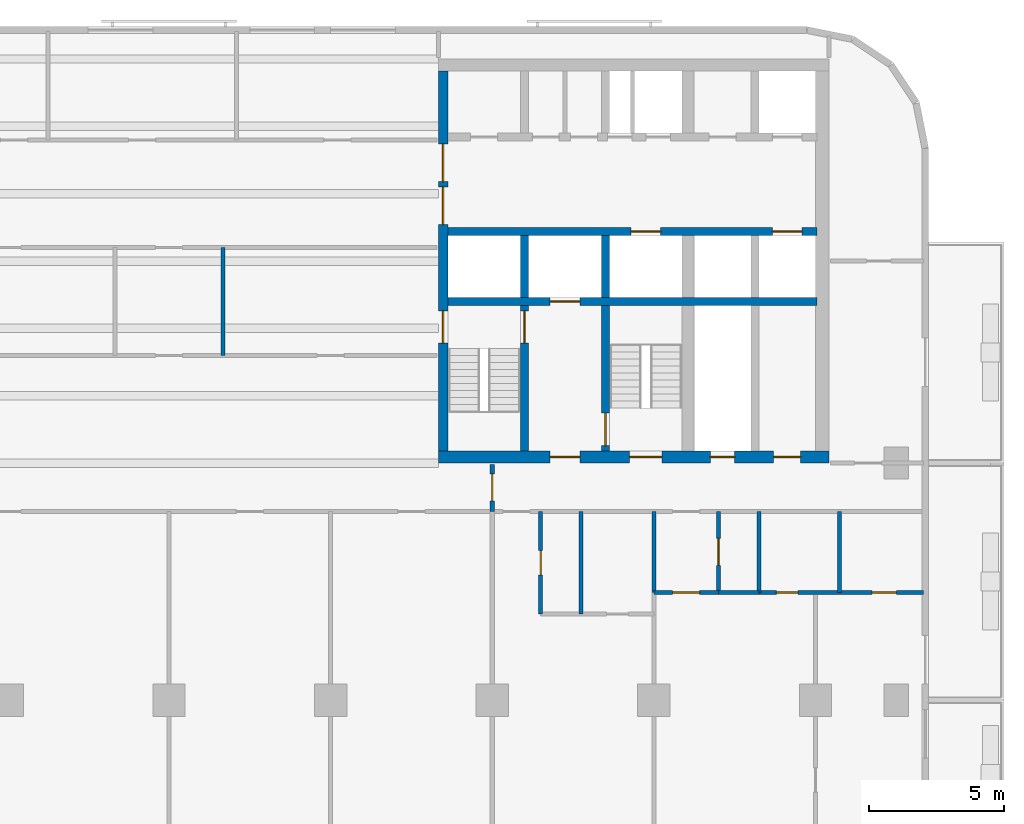
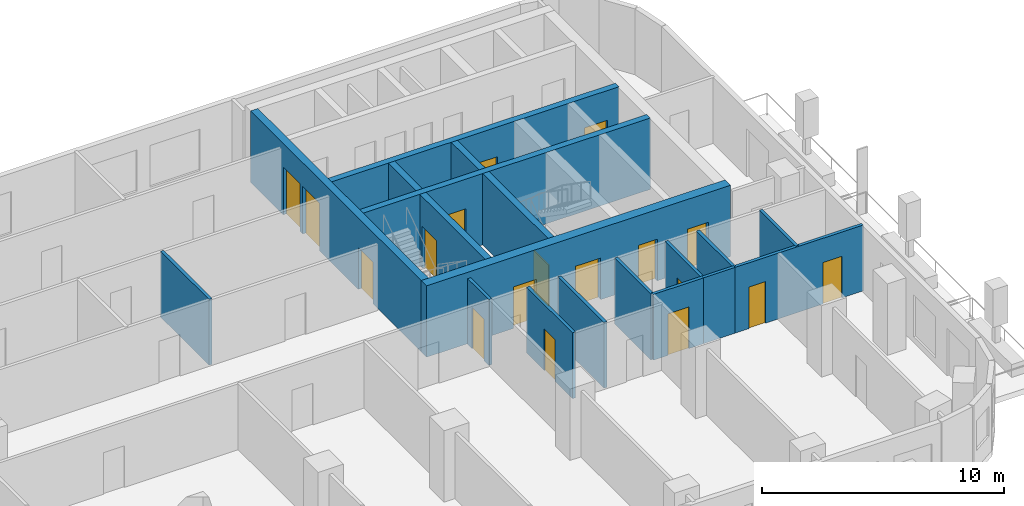
# One storey, part 5 of 11: 19 walls, 18 doors, 18 openings.
"""IFC4 building model written with IfcOpenShell, lengths in metres."""

import ifcopenshell
import ifcopenshell.guid

model = None  # the IFC model being written
_history = None  # IfcOwnerHistory: only IFC2X3 demands one
_inside = {}  # id of a spatial element -> (the spatial element, [elements in it])
_under = {}  # id of a project, library or spatial element -> (it, [spatial elements below it])
_declared = {}  # id of a project -> (the project, [libraries it declares])
_typed = {}  # id of a type object -> (the type object, [elements of that type])
_made_of = {}  # id of a material, layer set ... -> (it, [elements and type objects made of it])


def new_model(schema):
    """Start an empty IFC model of exactly this schema.

    Asked for "IFC4X3", IfcOpenShell would pick the latest addendum, in which some entities
    have other attributes; the version numbers below select the first issue.
    IFC2X3 requires an IfcOwnerHistory on every rooted entity: one is made here for all.
    """
    global model, _history
    if schema == "IFC4X3":
        model = ifcopenshell.file(schema_version=(4, 3, 0, 0))
    else:
        model = ifcopenshell.file(schema=schema)
    _inside.clear()
    _under.clear()
    _declared.clear()
    _typed.clear()
    _made_of.clear()
    _history = None
    if model.schema == "IFC2X3":
        org = make("IfcOrganization", Name="unknown")
        user = make(
            "IfcPersonAndOrganization",
            ThePerson=make("IfcPerson", FamilyName="unknown"),
            TheOrganization=org,
        )
        app = make(
            "IfcApplication",
            ApplicationDeveloper=org,
            Version="unknown",
            ApplicationFullName="unknown",
            ApplicationIdentifier="unknown",
        )
        _history = make(
            "IfcOwnerHistory",
            OwningUser=user,
            OwningApplication=app,
            ChangeAction="ADDED",
            CreationDate=0,
        )
    return model


def make(cls, **values):
    """One entity of the class cls with the attributes given. An attribute that is None is left unset."""
    return model.create_entity(
        cls, **{name: value for name, value in values.items() if value is not None}
    )


def rooted(cls, **values):
    """An entity with a GlobalId (a new one), such as an element, a storey or a relation."""
    return make(cls, GlobalId=ifcopenshell.guid.new(), OwnerHistory=_history, **values)


def si_unit(unit_type, name, prefix=None):
    """IfcSIUnit, for example si_unit("LENGTHUNIT", "METRE", prefix="MILLI")."""
    return make("IfcSIUnit", UnitType=unit_type, Prefix=prefix, Name=name)


def assignment(units):
    """IfcUnitAssignment: the units of a project."""
    return None if units is None else make("IfcUnitAssignment", Units=units)


def point(xyz):
    """IfcCartesianPoint."""
    return None if xyz is None else make("IfcCartesianPoint", Coordinates=xyz)


def direction(xyz):
    """IfcDirection."""
    return None if xyz is None else make("IfcDirection", DirectionRatios=xyz)


def frame(location, z_axis=None, x_axis=None):
    """IfcAxis2Placement3D, a coordinate frame: its origin and axes. An axis left out is left unset."""
    return make(
        "IfcAxis2Placement3D",
        Location=point(location),
        Axis=direction(z_axis),
        RefDirection=direction(x_axis),
    )


def frame_2d(location, x_axis=None):
    """IfcAxis2Placement2D, a coordinate frame in the plane: its origin and x axis."""
    return make(
        "IfcAxis2Placement2D", Location=point(location), RefDirection=direction(x_axis)
    )


def origin():
    """The frame at (0, 0, 0) with its axes left unset."""
    return frame((0.0, 0.0, 0.0))


def place(relative_to, where):
    """IfcLocalPlacement: puts the frame where relative to a parent placement (None: the world)."""
    return make(
        "IfcLocalPlacement", PlacementRelTo=relative_to, RelativePlacement=where
    )


def context(
    kind, dimensions, precision=None, world=None, true_north=None, identifier=None
):
    """IfcGeometricRepresentationContext, for example the 3D "Model" context."""
    return make(
        "IfcGeometricRepresentationContext",
        ContextIdentifier=identifier,
        ContextType=kind,
        CoordinateSpaceDimension=dimensions,
        Precision=precision,
        WorldCoordinateSystem=world,
        TrueNorth=true_north,
    )


def subcontext(parent, identifier, kind, view, scale=None):
    """IfcGeometricRepresentationSubContext, for example "Body" below "Model"."""
    return make(
        "IfcGeometricRepresentationSubContext",
        ContextIdentifier=identifier,
        ContextType=kind,
        ParentContext=parent,
        TargetScale=scale,
        TargetView=view,
    )


def project(units=None, contexts=None):
    """IfcProject with its units and contexts."""
    return rooted(
        "IfcProject",
        Name="project",
        RepresentationContexts=contexts,
        UnitsInContext=assignment(units),
    )


def spatial(cls, under=None, at=None, **own):
    """A site, building, storey or space (cls), placed at a placement, below another one or the project."""
    s = rooted(cls, ObjectPlacement=at, **own)
    if under is not None:
        _under.setdefault(under.id(), (under, []))[1].append(s)
    return s


def profile(cls, at=None, kind="AREA", **sizes):
    """A parametric profile (cls). Its sizes go by their IFC names, for example OverallWidth=200.0."""
    return make(cls, ProfileType=kind, Position=at, **sizes)


def rectangle(**sizes):
    """IfcRectangleProfileDef."""
    return profile("IfcRectangleProfileDef", **sizes)


def extrude(swept, where, along, depth):
    """IfcExtrudedAreaSolid: the profile swept, set in the frame where, extruded along a direction by depth."""
    return make(
        "IfcExtrudedAreaSolid",
        SweptArea=swept,
        Position=where,
        ExtrudedDirection=direction(along),
        Depth=depth,
    )


def shape(context_of_items, identifier, shape_type, items):
    """IfcShapeRepresentation: the items that make up one representation, for example the "Body"."""
    return make(
        "IfcShapeRepresentation",
        ContextOfItems=context_of_items,
        RepresentationIdentifier=identifier,
        RepresentationType=shape_type,
        Items=items,
    )


def material(Name=None, Category=None):
    """IfcMaterial."""
    return make("IfcMaterial", Name=Name, Category=Category)


def layer(
    of_material, thickness, ventilated=None, Name=None, Category=None, Priority=None
):
    """IfcMaterialLayer: one layer of a wall or slab, of a material (None: an air gap)."""
    return make(
        "IfcMaterialLayer",
        Material=of_material,
        LayerThickness=thickness,
        IsVentilated=ventilated,
        Name=Name,
        Category=Category,
        Priority=Priority,
    )


def layer_set(layers, Name=None):
    """IfcMaterialLayerSet."""
    return make("IfcMaterialLayerSet", MaterialLayers=layers, LayerSetName=Name)


def made_of(thing, what):
    """Note that an element or type object is made of a material, layer set ...; save() writes the relation."""
    if what is not None:
        _made_of.setdefault(what.id(), (what, []))[1].append(thing)
    return thing


def type_object(cls, material=None, **own):
    """A type object (cls), such as IfcWallType, which elements share."""
    return made_of(rooted(cls, **own), material)


def element(
    cls,
    number,
    at=None,
    inside=None,
    cuts=None,
    type_object=None,
    material=None,
    context=None,
    identifier="Body",
    shape_type=None,
    held_by="IfcProductDefinitionShape",
    body=None,
    shapes=None,
    **own,
):
    """One element of the class cls, such as IfcWall. Its Tag is "e" and its number.

    at: its placement. inside: the storey or other place that contains it. cuts: it is an
    opening in that element (IfcRelVoidsElement). A single representation is given by context,
    identifier, shape_type and body (its items); several are given by shapes. held_by: the class
    of the entity that holds the representations. save() writes the other relations.
    """
    e = rooted(cls, Tag="e%d" % number, ObjectPlacement=at, **own)
    if body is not None:
        shapes = [shape(context, identifier, shape_type, body)]
    if shapes is not None:
        e.Representation = make(held_by, Representations=shapes)
    if inside is not None:
        _inside.setdefault(inside.id(), (inside, []))[1].append(e)
    if cuts is not None:
        rooted(
            "IfcRelVoidsElement", RelatingBuildingElement=cuts, RelatedOpeningElement=e
        )
    if type_object is not None:
        _typed.setdefault(type_object.id(), (type_object, []))[1].append(e)
    return made_of(e, material)


def fill(opening, filler):
    """IfcRelFillsElement: the door or window that sits in an opening."""
    return rooted(
        "IfcRelFillsElement",
        RelatingOpeningElement=opening,
        RelatedBuildingElement=filler,
    )


def aggregate(whole, parts):
    """IfcRelAggregates: a whole, such as a stair, and the parts it consists of."""
    return rooted("IfcRelAggregates", RelatingObject=whole, RelatedObjects=parts)


def save(model, path):
    """Write the relations noted so far, then the file.

    IfcRelAggregates (storeys below a building ...), IfcRelContainedInSpatialStructure (elements
    in a storey), IfcRelDefinesByType, IfcRelAssociatesMaterial and IfcRelDeclares: one each for
    every whole, place, type object, material and project.
    """
    for whole, parts in _under.values():
        aggregate(whole, parts)
    for where, things in _inside.values():
        rooted(
            "IfcRelContainedInSpatialStructure",
            RelatedElements=things,
            RelatingStructure=where,
        )
    for kind, things in _typed.values():
        rooted("IfcRelDefinesByType", RelatedObjects=things, RelatingType=kind)
    for what, things in _made_of.values():
        rooted("IfcRelAssociatesMaterial", RelatedObjects=things, RelatingMaterial=what)
    for by, libraries in _declared.values():
        rooted("IfcRelDeclares", RelatingContext=by, RelatedDefinitions=libraries)
    model.write(path)


model = new_model("IFC4")

# Units and contexts
model_context = context("Model", 3, precision=1e-05, world=origin(), true_north=direction((0.0, 1.0)))
body_context = subcontext(model_context, "Body", "Model", "MODEL_VIEW")
ifc_project = project(units=[si_unit("LENGTHUNIT", "METRE"), si_unit("AREAUNIT", "SQUARE_METRE"), si_unit("VOLUMEUNIT", "CUBIC_METRE"), si_unit("PLANEANGLEUNIT", "RADIAN"), si_unit("MASSUNIT", "GRAM", prefix="KILO")], contexts=[model_context])

# Site, building, storey
site_placement = place(None, origin())
site = spatial("IfcSite", under=ifc_project, at=site_placement, CompositionType="ELEMENT")
building_placement = place(site_placement, origin())
building = spatial("IfcBuilding", under=site, at=building_placement, Name="Torana Hotel and Residences", CompositionType="ELEMENT")
storey_placement = place(building_placement, frame((0.0, 0.0, 120.0)))
storey = spatial("IfcBuildingStorey", under=building, at=storey_placement, Name="L30", CompositionType="ELEMENT", Elevation=120.0)

# Wall, openings, doors
ifc_material_1 = material(Name="Concrete C70/85", Category="concrete")
ifc_layer_1 = layer(ifc_material_1, 0.300048828125)
ifc_layer_set_1 = layer_set([ifc_layer_1], Name="CORE WALL 300 C70/85")
wall_type_1 = type_object("IfcWallType", Name="CORE WALL 300 C70/85", PredefinedType="SHEAR", material=ifc_layer_set_1)
wall_1_placement = place(storey_placement, frame((10.35009765625, -6.39990234375, 0.0), z_axis=(0.0, 0.0, 1.0), x_axis=(1.0, 0.0, 0.0)))
wall_1 = element("IfcWall", 1, at=wall_1_placement, inside=storey, type_object=wall_type_1, Name="Core wall E row-S", PredefinedType="SHEAR", context=body_context, shape_type="SweptSolid", body=[
    extrude(rectangle(XDim=13.699951171875, YDim=0.300048828125, at=frame_2d((6.85009765625, 0.0))), origin(), (0.0, 0.0, 1.0), 3.60009765625),
])
opening_1_placement = place(wall_1_placement, frame((12.050048828125, 0.0, 0.0)))
opening_1 = element("IfcOpeningElement", 2, at=opening_1_placement, cuts=wall_1, Name="Opening LD", PredefinedType="OPENING", context=body_context, shape_type="SweptSolid", body=[
    extrude(rectangle(XDim=1.10009765625, YDim=2.10009765625, at=frame_2d((0.550048828125, 1.050048828125))), frame((0.0, 0.159912109375, 0.0), z_axis=(0.0, -1.0, 0.0), x_axis=(1.0, 0.0, 0.0)), (0.0, 0.0, 1.0), 0.320068359375),
])
opening_2_placement = place(wall_1_placement, frame((6.800048828125, 0.0, 0.0)))
opening_2 = element("IfcOpeningElement", 3, at=opening_2_placement, cuts=wall_1, Name="Opening LD", PredefinedType="OPENING", context=body_context, shape_type="SweptSolid", body=[
    extrude(rectangle(XDim=1.10009765625, YDim=2.10009765625, at=frame_2d((0.550048828125, 1.050048828125))), frame((0.0, 0.159912109375, 0.0), z_axis=(0.0, -1.0, 0.0), x_axis=(1.0, 0.0, 0.0)), (0.0, 0.0, 1.0), 0.320068359375),
])
ifc_material_2 = material(Name="Stainless steel 316", Category="steel")
door_type_1 = type_object("IfcDoorType", Name="LIFT LANDING DOOR LD 1100x2100", OperationType="DOUBLE_DOOR_SLIDING", PredefinedType="USERDEFINED", material=ifc_material_2)
door_1_placement = place(opening_1_placement, origin())
door_1 = element("IfcDoor", 4, at=door_1_placement, inside=storey, type_object=door_type_1, Name="Lift landing door M4 L30", ObjectType="LIFT LANDING DOOR", OperationType="DOUBLE_DOOR_SLIDING", OverallHeight=2.10009765625, OverallWidth=1.10009765625, PredefinedType="USERDEFINED", context=body_context, shape_type="SweptSolid", body=[
    extrude(rectangle(XDim=1.10009765625, YDim=2.10009765625, at=frame_2d((0.550048828125, 1.050048828125))), frame((0.0, 0.02490234375, 0.0), z_axis=(0.0, -1.0, 0.0), x_axis=(1.0, 0.0, 0.0)), (0.0, 0.0, 1.0), 0.050048828125),
])
fill(opening_1, door_1)
door_2_placement = place(opening_2_placement, origin())
door_2 = element("IfcDoor", 5, at=door_2_placement, inside=storey, type_object=door_type_1, Name="Lift landing door SV2 L30", ObjectType="LIFT LANDING DOOR", OperationType="DOUBLE_DOOR_SLIDING", OverallHeight=2.10009765625, OverallWidth=1.10009765625, PredefinedType="USERDEFINED", context=body_context, shape_type="SweptSolid", body=[
    extrude(rectangle(XDim=1.10009765625, YDim=2.10009765625, at=frame_2d((0.550048828125, 1.050048828125))), frame((0.0, 0.02490234375, 0.0), z_axis=(0.0, -1.0, 0.0), x_axis=(1.0, 0.0, 0.0)), (0.0, 0.0, 1.0), 0.050048828125),
])
fill(opening_2, door_2)

# Wall, opening, door
wall_2_placement = place(storey_placement, frame((10.35009765625, -9.0, 0.0), z_axis=(0.0, 0.0, 1.0), x_axis=(1.0, 0.0, 0.0)))
wall_2 = element("IfcWall", 6, at=wall_2_placement, inside=storey, type_object=wall_type_1, Name="Core wall E band", PredefinedType="SHEAR", context=body_context, shape_type="SweptSolid", body=[
    extrude(rectangle(XDim=13.699951171875, YDim=0.300048828125, at=frame_2d((6.85009765625, 0.0))), origin(), (0.0, 0.0, 1.0), 3.60009765625),
])
opening_3_placement = place(wall_2_placement, frame((3.800048828125, 0.0, 0.0)))
opening_3 = element("IfcOpeningElement", 7, at=opening_3_placement, cuts=wall_2, Name="Opening LD", PredefinedType="OPENING", context=body_context, shape_type="SweptSolid", body=[
    extrude(rectangle(XDim=1.10009765625, YDim=2.10009765625, at=frame_2d((0.550048828125, 1.050048828125))), frame((0.0, 0.159912109375, 0.0), z_axis=(0.0, -1.0, 0.0), x_axis=(1.0, 0.0, 0.0)), (0.0, 0.0, 1.0), 0.320068359375),
])
door_3_placement = place(opening_3_placement, origin())
door_3 = element("IfcDoor", 8, at=door_3_placement, inside=storey, type_object=door_type_1, Name="Lift landing door FF2 L30", ObjectType="LIFT LANDING DOOR", OperationType="DOUBLE_DOOR_SLIDING", OverallHeight=2.10009765625, OverallWidth=1.10009765625, PredefinedType="USERDEFINED", context=body_context, shape_type="SweptSolid", body=[
    extrude(rectangle(XDim=1.10009765625, YDim=2.10009765625, at=frame_2d((0.550048828125, 1.050048828125))), frame((0.0, 0.02490234375, 0.0), z_axis=(0.0, -1.0, 0.0), x_axis=(1.0, 0.0, 0.0)), (0.0, 0.0, 1.0), 0.050048828125),
])
fill(opening_3, door_3)

# Wall
wall_3_placement = place(storey_placement, frame((13.199951171875, -8.85009765625, 0.0), z_axis=(0.0, 0.0, 1.0), x_axis=(0.0, 1.0, 0.0)))
element("IfcWall", 9, at=wall_3_placement, inside=storey, type_object=wall_type_1, Name="Core wall E x3.05-S", PredefinedType="SHEAR", context=body_context, shape_type="SweptSolid", body=[
    extrude(rectangle(XDim=2.300048828125, YDim=0.300048828125, at=frame_2d((1.14990234375, 0.0))), origin(), (0.0, 0.0, 1.0), 3.60009765625),
])

# Wall, opening, door
wall_4_placement = place(storey_placement, frame((13.199951171875, -14.550048828125, 0.0), z_axis=(0.0, 0.0, 1.0), x_axis=(0.0, 1.0, 0.0)))
wall_4 = element("IfcWall", 10, at=wall_4_placement, inside=storey, type_object=wall_type_1, Name="Core wall E x3.05-band", PredefinedType="SHEAR", context=body_context, shape_type="SweptSolid", body=[
    extrude(rectangle(XDim=5.400146484375, YDim=0.300048828125, at=frame_2d((2.7001953125, 0.0))), origin(), (0.0, 0.0, 1.0), 3.60009765625),
])
opening_4_placement = place(wall_4_placement, frame((4.0, 0.0, 0.0)))
opening_4 = element("IfcOpeningElement", 11, at=opening_4_placement, cuts=wall_4, Name="Opening L30-29", PredefinedType="OPENING", context=body_context, shape_type="SweptSolid", body=[
    extrude(rectangle(XDim=1.199951171875, YDim=2.10009765625, at=frame_2d((0.60009765625, 1.050048828125))), frame((0.0, 0.159912109375, 0.0), z_axis=(0.0, -1.0, 0.0), x_axis=(1.0, 0.0, 0.0)), (0.0, 0.0, 1.0), 0.320068359375),
])
ifc_material_3 = material(Name="Steel S235", Category="steel")
door_type_2 = type_object("IfcDoorType", Name="STAIR FIRE DOOR D3 1200x2100", OperationType="SINGLE_SWING_LEFT", PredefinedType="DOOR", material=ifc_material_3)
door_4_placement = place(opening_4_placement, origin())
door_4 = element("IfcDoor", 12, at=door_4_placement, inside=storey, type_object=door_type_2, Name="Stair-A-lobby door L30", OperationType="SINGLE_SWING_LEFT", OverallHeight=2.10009765625, OverallWidth=1.199951171875, PredefinedType="DOOR", context=body_context, shape_type="SweptSolid", body=[
    extrude(rectangle(XDim=1.199951171875, YDim=2.10009765625, at=frame_2d((0.60009765625, 1.050048828125))), frame((0.0, 0.02490234375, 0.0), z_axis=(0.0, -1.0, 0.0), x_axis=(1.0, 0.0, 0.0)), (0.0, 0.0, 1.0), 0.050048828125),
])
fill(opening_4, door_4)

# Wall
wall_5_placement = place(storey_placement, frame((16.199951171875, -8.85009765625, 0.0), z_axis=(0.0, 0.0, 1.0), x_axis=(0.0, 1.0, 0.0)))
element("IfcWall", 13, at=wall_5_placement, inside=storey, type_object=wall_type_1, Name="Core wall E x6.05-S", PredefinedType="SHEAR", context=body_context, shape_type="SweptSolid", body=[
    extrude(rectangle(XDim=2.300048828125, YDim=0.300048828125, at=frame_2d((1.14990234375, 0.0))), origin(), (0.0, 0.0, 1.0), 3.60009765625),
])

# Wall, opening, door
wall_6_placement = place(storey_placement, frame((16.199951171875, -14.550048828125, 0.0), z_axis=(0.0, 0.0, 1.0), x_axis=(0.0, 1.0, 0.0)))
wall_6 = element("IfcWall", 14, at=wall_6_placement, inside=storey, type_object=wall_type_1, Name="Core wall E x6.05-band", PredefinedType="SHEAR", context=body_context, shape_type="SweptSolid", body=[
    extrude(rectangle(XDim=5.400146484375, YDim=0.300048828125, at=frame_2d((2.7001953125, 0.0))), origin(), (0.0, 0.0, 1.0), 3.60009765625),
])
opening_5_placement = place(wall_6_placement, frame((0.199951171875, 0.0, 0.0)))
opening_5 = element("IfcOpeningElement", 15, at=opening_5_placement, cuts=wall_6, Name="Opening L30-30", PredefinedType="OPENING", context=body_context, shape_type="SweptSolid", body=[
    extrude(rectangle(XDim=1.199951171875, YDim=2.10009765625, at=frame_2d((0.60009765625, 1.050048828125))), frame((0.0, 0.159912109375, 0.0), z_axis=(0.0, -1.0, 0.0), x_axis=(1.0, 0.0, 0.0)), (0.0, 0.0, 1.0), 0.320068359375),
])
door_5_placement = place(opening_5_placement, frame((0.60009765625, 0.0, 0.0), z_axis=(0.0, 0.0, 1.0), x_axis=(-1.0, 0.0, 0.0)))
door_5 = element("IfcDoor", 16, at=door_5_placement, inside=storey, type_object=door_type_2, Name="Stair-B-lobby door L30", OperationType="SINGLE_SWING_LEFT", OverallHeight=2.10009765625, OverallWidth=1.199951171875, PredefinedType="DOOR", context=body_context, shape_type="SweptSolid", body=[
    extrude(rectangle(XDim=1.199951171875, YDim=2.10009765625, at=frame_2d((0.0, 1.050048828125))), frame((0.0, -0.02490234375, 0.0), z_axis=(0.0, 1.0, 0.0), x_axis=(-1.0, 0.0, 0.0)), (0.0, 0.0, 1.0), 0.050048828125),
])
fill(opening_5, door_5)

# Wall, openings, doors
ifc_material_4 = material(Name="Concrete C70/85", Category="concrete")
ifc_layer_2 = layer(ifc_material_4, 0.35009765625)
ifc_layer_set_2 = layer_set([ifc_layer_2], Name="CORE WALL 350 C70/85")
wall_type_2 = type_object("IfcWallType", Name="CORE WALL 350 C70/85", PredefinedType="SHEAR", material=ifc_layer_set_2)
wall_7_placement = place(storey_placement, frame((10.175048828125, -14.550048828125, 0.0), z_axis=(0.0, 0.0, 1.0), x_axis=(0.0, 1.0, 0.0)))
wall_7 = element("IfcWall", 17, at=wall_7_placement, inside=storey, type_object=wall_type_2, Name="Core wall E arch", PredefinedType="SHEAR", context=body_context, shape_type="SweptSolid", body=[
    extrude(rectangle(XDim=14.10009765625, YDim=0.35009765625, at=frame_2d((7.050048828125, 0.0))), origin(), (0.0, 0.0, 1.0), 3.60009765625),
])
opening_6_placement = place(wall_7_placement, frame((8.39990234375, 0.0, 0.0)))
opening_6 = element("IfcOpeningElement", 18, at=opening_6_placement, cuts=wall_7, Name="Opening L30-16", PredefinedType="OPENING", context=body_context, shape_type="SweptSolid", body=[
    extrude(rectangle(XDim=1.39990234375, YDim=2.39990234375, at=frame_2d((0.699951171875, 1.199951171875))), frame((0.0, 0.18505859375, 0.0), z_axis=(0.0, -1.0, 0.0), x_axis=(1.0, 0.0, 0.0)), (0.0, 0.0, 1.0), 0.3701171875),
])
opening_7_placement = place(wall_7_placement, frame((10.0, 0.0, 0.0)))
opening_7 = element("IfcOpeningElement", 19, at=opening_7_placement, cuts=wall_7, Name="Opening L30-17", PredefinedType="OPENING", context=body_context, shape_type="SweptSolid", body=[
    extrude(rectangle(XDim=1.39990234375, YDim=2.39990234375, at=frame_2d((0.699951171875, 1.199951171875))), frame((0.0, 0.18505859375, 0.0), z_axis=(0.0, -1.0, 0.0), x_axis=(1.0, 0.0, 0.0)), (0.0, 0.0, 1.0), 0.3701171875),
])
opening_8_placement = place(wall_7_placement, frame((4.0, 0.0, 0.0)))
opening_8 = element("IfcOpeningElement", 20, at=opening_8_placement, cuts=wall_7, Name="Opening L30-18", PredefinedType="OPENING", context=body_context, shape_type="SweptSolid", body=[
    extrude(rectangle(XDim=1.199951171875, YDim=2.10009765625, at=frame_2d((0.60009765625, 1.050048828125))), frame((0.0, 0.18505859375, 0.0), z_axis=(0.0, -1.0, 0.0), x_axis=(1.0, 0.0, 0.0)), (0.0, 0.0, 1.0), 0.3701171875),
])
ifc_material_5 = material(Name="Steel S235", Category="steel")
door_type_3 = type_object("IfcDoorType", Name="LOBBY FIRE DOOR D4 1400x2400", OperationType="DOUBLE_DOOR_SINGLE_SWING", PredefinedType="DOOR", material=ifc_material_5)
door_6_placement = place(opening_6_placement, origin())
door_6 = element("IfcDoor", 21, at=door_6_placement, inside=storey, type_object=door_type_3, Name="Lobby-1 door L30", OperationType="DOUBLE_DOOR_SINGLE_SWING", OverallHeight=2.39990234375, OverallWidth=1.39990234375, PredefinedType="DOOR", context=body_context, shape_type="SweptSolid", body=[
    extrude(rectangle(XDim=1.39990234375, YDim=2.39990234375, at=frame_2d((0.699951171875, 1.199951171875))), frame((0.0, 0.02490234375, 0.0), z_axis=(0.0, -1.0, 0.0), x_axis=(1.0, 0.0, 0.0)), (0.0, 0.0, 1.0), 0.050048828125),
])
fill(opening_6, door_6)
door_7_placement = place(opening_7_placement, origin())
door_7 = element("IfcDoor", 22, at=door_7_placement, inside=storey, type_object=door_type_3, Name="Lobby-2 door L30", OperationType="DOUBLE_DOOR_SINGLE_SWING", OverallHeight=2.39990234375, OverallWidth=1.39990234375, PredefinedType="DOOR", context=body_context, shape_type="SweptSolid", body=[
    extrude(rectangle(XDim=1.39990234375, YDim=2.39990234375, at=frame_2d((0.699951171875, 1.199951171875))), frame((0.0, 0.02490234375, 0.0), z_axis=(0.0, -1.0, 0.0), x_axis=(1.0, 0.0, 0.0)), (0.0, 0.0, 1.0), 0.050048828125),
])
fill(opening_7, door_7)
door_8_placement = place(opening_8_placement, frame((0.60009765625, 0.0, 0.0), z_axis=(0.0, 0.0, 1.0), x_axis=(-1.0, 0.0, 0.0)))
door_8 = element("IfcDoor", 23, at=door_8_placement, inside=storey, type_object=door_type_2, Name="Stair-A door L30", OperationType="SINGLE_SWING_RIGHT", OverallHeight=2.10009765625, OverallWidth=1.199951171875, PredefinedType="DOOR", context=body_context, shape_type="SweptSolid", body=[
    extrude(rectangle(XDim=1.199951171875, YDim=2.10009765625, at=frame_2d((0.0, 1.050048828125))), frame((0.0, -0.02490234375, 0.0), z_axis=(0.0, 1.0, 0.0), x_axis=(-1.0, 0.0, 0.0)), (0.0, 0.0, 1.0), 0.050048828125),
])
fill(opening_8, door_8)

ifc_material_6 = material(Name="Concrete C70/85", Category="concrete")
ifc_layer_3 = layer(ifc_material_6, 0.449951171875)
ifc_layer_set_3 = layer_set([ifc_layer_3], Name="CORE WALL 450 C70/85")
wall_type_3 = type_object("IfcWallType", Name="CORE WALL 450 C70/85", PredefinedType="SHEAR", material=ifc_layer_set_3)
wall_8_placement = place(storey_placement, frame((10.0, -14.77490234375, 0.0), z_axis=(0.0, 0.0, 1.0), x_axis=(1.0, 0.0, 0.0)))
wall_8 = element("IfcWall", 24, at=wall_8_placement, inside=storey, type_object=wall_type_3, Name="Core wall E front", PredefinedType="SHEAR", context=body_context, shape_type="SweptSolid", body=[
    extrude(rectangle(XDim=14.5, YDim=0.449951171875, at=frame_2d((7.25, 0.0))), origin(), (0.0, 0.0, 1.0), 3.60009765625),
])
opening_9_placement = place(wall_8_placement, frame((7.10009765625, 0.0, 0.0)))
opening_9 = element("IfcOpeningElement", 25, at=opening_9_placement, cuts=wall_8, Name="Opening L30-19", PredefinedType="OPENING", context=body_context, shape_type="SweptSolid", body=[
    extrude(rectangle(XDim=1.199951171875, YDim=2.10009765625, at=frame_2d((0.60009765625, 1.050048828125))), frame((0.0, 0.23486328125, 0.0), z_axis=(0.0, -1.0, 0.0), x_axis=(1.0, 0.0, 0.0)), (0.0, 0.0, 1.0), 0.469970703125),
])
opening_10_placement = place(wall_8_placement, frame((4.14990234375, 0.0, 0.0)))
opening_10 = element("IfcOpeningElement", 26, at=opening_10_placement, cuts=wall_8, Name="Opening L30-20", PredefinedType="OPENING", context=body_context, shape_type="SweptSolid", body=[
    extrude(rectangle(XDim=1.10009765625, YDim=2.10009765625, at=frame_2d((0.550048828125, 1.050048828125))), frame((0.0, 0.23486328125, 0.0), z_axis=(0.0, -1.0, 0.0), x_axis=(1.0, 0.0, 0.0)), (0.0, 0.0, 1.0), 0.469970703125),
])
opening_11_placement = place(wall_8_placement, frame((10.10009765625, 0.0, 0.0)))
opening_11 = element("IfcOpeningElement", 27, at=opening_11_placement, cuts=wall_8, Name="Opening L30-21", PredefinedType="OPENING", context=body_context, shape_type="SweptSolid", body=[
    extrude(rectangle(XDim=0.89990234375, YDim=2.10009765625, at=frame_2d((0.449951171875, 1.050048828125))), frame((0.0, 0.23486328125, 0.0), z_axis=(0.0, -1.0, 0.0), x_axis=(1.0, 0.0, 0.0)), (0.0, 0.0, 1.0), 0.469970703125),
])
opening_12_placement = place(wall_8_placement, frame((12.449951171875, 0.0, 0.0)))
opening_12 = element("IfcOpeningElement", 28, at=opening_12_placement, cuts=wall_8, Name="Opening L30-22", PredefinedType="OPENING", context=body_context, shape_type="SweptSolid", body=[
    extrude(rectangle(XDim=1.0, YDim=2.10009765625, at=frame_2d((0.5, 1.050048828125))), frame((0.0, 0.23486328125, 0.0), z_axis=(0.0, -1.0, 0.0), x_axis=(1.0, 0.0, 0.0)), (0.0, 0.0, 1.0), 0.469970703125),
])
ifc_material_7 = material(Name="Steel S235", Category="steel")
door_type_4 = type_object("IfcDoorType", Name="CORE ROOM FIRE DOOR D14 1000x2100", OperationType="SINGLE_SWING_LEFT", PredefinedType="DOOR", material=ifc_material_7)
door_9_placement = place(opening_12_placement, origin())
door_9 = element("IfcDoor", 29, at=door_9_placement, inside=storey, type_object=door_type_4, Name="M-Room door L30", OperationType="SINGLE_SWING_RIGHT", OverallHeight=2.10009765625, OverallWidth=1.0, PredefinedType="DOOR", context=body_context, shape_type="SweptSolid", body=[
    extrude(rectangle(XDim=1.0, YDim=2.10009765625, at=frame_2d((0.5, 1.050048828125))), frame((0.0, 0.02490234375, 0.0), z_axis=(0.0, -1.0, 0.0), x_axis=(1.0, 0.0, 0.0)), (0.0, 0.0, 1.0), 0.050048828125),
])
fill(opening_12, door_9)
ifc_material_8 = material(Name="Steel S235", Category="steel")
door_type_5 = type_object("IfcDoorType", Name="FIRE-FIGHTING LOBBY DOOR D8 1100x2100", OperationType="SINGLE_SWING_LEFT", PredefinedType="DOOR", material=ifc_material_8)
door_10_placement = place(opening_10_placement, origin())
door_10 = element("IfcDoor", 30, at=door_10_placement, inside=storey, type_object=door_type_5, Name="FF-lobby door L30", OperationType="SINGLE_SWING_RIGHT", OverallHeight=2.10009765625, OverallWidth=1.10009765625, PredefinedType="DOOR", context=body_context, shape_type="SweptSolid", body=[
    extrude(rectangle(XDim=1.10009765625, YDim=2.10009765625, at=frame_2d((0.550048828125, 1.050048828125))), frame((0.0, 0.02490234375, 0.0), z_axis=(0.0, -1.0, 0.0), x_axis=(1.0, 0.0, 0.0)), (0.0, 0.0, 1.0), 0.050048828125),
])
fill(opening_10, door_10)
ifc_material_9 = material(Name="Steel S235", Category="steel")
door_type_6 = type_object("IfcDoorType", Name="RISER ACCESS DOOR D5 900x2100", OperationType="SINGLE_SWING_LEFT", PredefinedType="DOOR", material=ifc_material_9)
door_11_placement = place(opening_11_placement, origin())
door_11 = element("IfcDoor", 31, at=door_11_placement, inside=storey, type_object=door_type_6, Name="M-Riser door L30", OperationType="SINGLE_SWING_RIGHT", OverallHeight=2.10009765625, OverallWidth=0.89990234375, PredefinedType="DOOR", context=body_context, shape_type="SweptSolid", body=[
    extrude(rectangle(XDim=0.89990234375, YDim=2.10009765625, at=frame_2d((0.449951171875, 1.050048828125))), frame((0.0, 0.02490234375, 0.0), z_axis=(0.0, -1.0, 0.0), x_axis=(1.0, 0.0, 0.0)), (0.0, 0.0, 1.0), 0.050048828125),
])
fill(opening_11, door_11)
door_12_placement = place(opening_9_placement, origin())
door_12 = element("IfcDoor", 32, at=door_12_placement, inside=storey, type_object=door_type_2, Name="Stair-B door L30", OperationType="SINGLE_SWING_RIGHT", OverallHeight=2.10009765625, OverallWidth=1.199951171875, PredefinedType="DOOR", context=body_context, shape_type="SweptSolid", body=[
    extrude(rectangle(XDim=1.199951171875, YDim=2.10009765625, at=frame_2d((0.60009765625, 1.050048828125))), frame((0.0, 0.02490234375, 0.0), z_axis=(0.0, -1.0, 0.0), x_axis=(1.0, 0.0, 0.0)), (0.0, 0.0, 1.0), 0.050048828125),
])
fill(opening_9, door_12)

# Wall, opening, door
ifc_material_10 = material(Name="Gypsum plaster")
ifc_layer_4 = layer(ifc_material_10, 0.014892578125, Name="Plaster", Category="finish")
ifc_material_11 = material(Name="Concrete blockwork", Category="masonry")
ifc_layer_5 = layer(ifc_material_11, 0.1201171875, Name="Blockwork", Category="structure")
ifc_layer_6 = layer(ifc_material_10, 0.014892578125, Name="Plaster", Category="finish")
ifc_layer_set_4 = layer_set([ifc_layer_4, ifc_layer_5, ifc_layer_6], Name="FIRE PARTITION 150 BLOCKWORK")
wall_type_4 = type_object("IfcWallType", Name="FIRE PARTITION 150 BLOCKWORK", PredefinedType="PARTITIONING", material=ifc_layer_set_4)
wall_9_placement = place(storey_placement, frame((20.39990234375, -19.800048828125, 0.0), z_axis=(0.0, 0.0, 1.0), x_axis=(0.0, 1.0, 0.0)))
wall_9 = element("IfcWall", 33, at=wall_9_placement, inside=storey, type_object=wall_type_4, Name="Partition L30", PredefinedType="PARTITIONING", context=body_context, shape_type="SweptSolid", body=[
    extrude(rectangle(XDim=3.0, YDim=0.14990234375, at=frame_2d((1.5, 0.0))), origin(), (0.0, 0.0, 1.0), 3.320068359375),
])
opening_13_placement = place(wall_9_placement, frame((1.0, 0.0, 0.0)))
opening_13 = element("IfcOpeningElement", 34, at=opening_13_placement, cuts=wall_9, Name="Opening L30-57", PredefinedType="OPENING", context=body_context, shape_type="SweptSolid", body=[
    extrude(rectangle(XDim=1.0, YDim=2.10009765625, at=frame_2d((0.5, 1.050048828125))), frame((0.0, 0.0849609375, 0.0), z_axis=(0.0, -1.0, 0.0), x_axis=(1.0, 0.0, 0.0)), (0.0, 0.0, 1.0), 0.169921875),
])
ifc_material_12 = material(Name="Steel S235", Category="steel")
door_type_7 = type_object("IfcDoorType", Name="ENTRY FIRE DOOR D6 1000x2100", OperationType="SINGLE_SWING_LEFT", PredefinedType="DOOR", material=ifc_material_12)
door_13_placement = place(opening_13_placement, frame((0.5, 0.0, 0.0), z_axis=(0.0, 0.0, 1.0), x_axis=(-1.0, 0.0, 0.0)))
door_13 = element("IfcDoor", 35, at=door_13_placement, inside=storey, type_object=door_type_7, Name="Door L30", OperationType="SINGLE_SWING_LEFT", OverallHeight=2.10009765625, OverallWidth=1.0, PredefinedType="DOOR", context=body_context, shape_type="SweptSolid", body=[
    extrude(rectangle(XDim=1.0, YDim=2.10009765625, at=frame_2d((0.0, 1.050048828125))), frame((0.0, -0.02490234375, 0.0), z_axis=(0.0, 1.0, 0.0), x_axis=(-1.0, 0.0, 0.0)), (0.0, 0.0, 1.0), 0.050048828125),
])
fill(opening_13, door_13)

# Wall
wall_10_placement = place(storey_placement, frame((18.0, -19.800048828125, 0.0), z_axis=(0.0, 0.0, 1.0), x_axis=(0.0, 1.0, 0.0)))
element("IfcWall", 36, at=wall_10_placement, inside=storey, type_object=wall_type_4, Name="Partition L30", PredefinedType="PARTITIONING", context=body_context, shape_type="SweptSolid", body=[
    extrude(rectangle(XDim=3.0, YDim=0.14990234375, at=frame_2d((1.5, 0.0))), origin(), (0.0, 0.0, 1.0), 3.320068359375),
])

# Wall, opening, door
wall_11_placement = place(storey_placement, frame((12.0, -16.800048828125, 0.0), z_axis=(0.0, 0.0, 1.0), x_axis=(0.0, 1.0, 0.0)))
wall_11 = element("IfcWall", 37, at=wall_11_placement, inside=storey, type_object=wall_type_4, Name="Partition L30", PredefinedType="PARTITIONING", context=body_context, shape_type="SweptSolid", body=[
    extrude(rectangle(XDim=1.75, YDim=0.14990234375, at=frame_2d((0.875, 0.0))), origin(), (0.0, 0.0, 1.0), 3.320068359375),
])
opening_14_placement = place(wall_11_placement, frame((0.39990234375, 0.0, 0.0)))
opening_14 = element("IfcOpeningElement", 38, at=opening_14_placement, cuts=wall_11, Name="Opening L30-35", PredefinedType="OPENING", context=body_context, shape_type="SweptSolid", body=[
    extrude(rectangle(XDim=1.0, YDim=2.10009765625, at=frame_2d((0.5, 1.050048828125))), frame((0.0, 0.0849609375, 0.0), z_axis=(0.0, -1.0, 0.0), x_axis=(1.0, 0.0, 0.0)), (0.0, 0.0, 1.0), 0.169921875),
])
door_14_placement = place(opening_14_placement, origin())
door_14 = element("IfcDoor", 39, at=door_14_placement, inside=storey, type_object=door_type_7, Name="Door L30", OperationType="SINGLE_SWING_RIGHT", OverallHeight=2.10009765625, OverallWidth=1.0, PredefinedType="DOOR", context=body_context, shape_type="SweptSolid", body=[
    extrude(rectangle(XDim=1.0, YDim=2.10009765625, at=frame_2d((0.5, 1.050048828125))), frame((0.0, 0.02490234375, 0.0), z_axis=(0.0, -1.0, 0.0), x_axis=(1.0, 0.0, 0.0)), (0.0, 0.0, 1.0), 0.050048828125),
])
fill(opening_14, door_14)

# Wall
wall_12_placement = place(storey_placement, frame((2.0, -11.0, 0.0), z_axis=(0.0, 0.0, 1.0), x_axis=(0.0, 1.0, 0.0)))
element("IfcWall", 40, at=wall_12_placement, inside=storey, type_object=wall_type_4, Name="Partition L30", PredefinedType="PARTITIONING", context=body_context, shape_type="SweptSolid", body=[
    extrude(rectangle(XDim=4.0, YDim=0.14990234375, at=frame_2d((2.0, 0.0))), origin(), (0.0, 0.0, 1.0), 3.320068359375),
])

# Wall, opening, door
wall_13_placement = place(storey_placement, frame((18.0, -19.800048828125, 0.0), z_axis=(0.0, 0.0, 1.0), x_axis=(1.0, 0.0, 0.0)))
wall_13 = element("IfcWall", 41, at=wall_13_placement, inside=storey, type_object=wall_type_4, Name="Partition L30", PredefinedType="PARTITIONING", context=body_context, shape_type="SweptSolid", body=[
    extrude(rectangle(XDim=2.39990234375, YDim=0.14990234375, at=frame_2d((1.199951171875, 0.0))), origin(), (0.0, 0.0, 1.0), 3.320068359375),
])
opening_15_placement = place(wall_13_placement, frame((0.699951171875, 0.0, 0.0)))
opening_15 = element("IfcOpeningElement", 42, at=opening_15_placement, cuts=wall_13, Name="Opening L30-58", PredefinedType="OPENING", context=body_context, shape_type="SweptSolid", body=[
    extrude(rectangle(XDim=1.0, YDim=2.10009765625, at=frame_2d((0.5, 1.050048828125))), frame((0.0, 0.0849609375, 0.0), z_axis=(0.0, -1.0, 0.0), x_axis=(1.0, 0.0, 0.0)), (0.0, 0.0, 1.0), 0.169921875),
])
door_15_placement = place(opening_15_placement, frame((0.5, 0.0, 0.0), z_axis=(0.0, 0.0, 1.0), x_axis=(-1.0, 0.0, 0.0)))
door_15 = element("IfcDoor", 43, at=door_15_placement, inside=storey, type_object=door_type_7, Name="Door L30", OperationType="SINGLE_SWING_LEFT", OverallHeight=2.10009765625, OverallWidth=1.0, PredefinedType="DOOR", context=body_context, shape_type="SweptSolid", body=[
    extrude(rectangle(XDim=1.0, YDim=2.10009765625, at=frame_2d((0.0, 1.050048828125))), frame((0.0, -0.02490234375, 0.0), z_axis=(0.0, 1.0, 0.0), x_axis=(-1.0, 0.0, 0.0)), (0.0, 0.0, 1.0), 0.050048828125),
])
fill(opening_15, door_15)

# Walls
ifc_material_13 = material(Name="Gypsum plasterboard")
ifc_layer_7 = layer(ifc_material_13, 0.012451171875, Name="Plasterboard", Category="finish")
ifc_layer_8 = layer(ifc_material_13, 0.012451171875, Name="Plasterboard", Category="finish")
ifc_material_14 = material(Name="Steel S280GD", Category="steel")
ifc_layer_9 = layer(ifc_material_14, 0.10009765625, Name="Steel studs with mineral wool", Category="insulation")
ifc_layer_10 = layer(ifc_material_13, 0.012451171875, Name="Plasterboard", Category="finish")
ifc_layer_11 = layer(ifc_material_13, 0.012451171875, Name="Plasterboard", Category="finish")
ifc_layer_set_5 = layer_set([ifc_layer_7, ifc_layer_8, ifc_layer_9, ifc_layer_10, ifc_layer_11], Name="PARTITION 150 PLASTERBOARD")
wall_type_5 = type_object("IfcWallType", Name="PARTITION 150 PLASTERBOARD", PredefinedType="PARTITIONING", material=ifc_layer_set_5)
wall_14_placement = place(storey_placement, frame((24.89990234375, -19.800048828125, 0.0), z_axis=(0.0, 0.0, 1.0), x_axis=(0.0, 1.0, 0.0)))
element("IfcWall", 44, at=wall_14_placement, inside=storey, type_object=wall_type_5, Name="Partition L30", PredefinedType="PARTITIONING", context=body_context, shape_type="SweptSolid", body=[
    extrude(rectangle(XDim=3.0, YDim=0.14990234375, at=frame_2d((1.5, 0.0))), origin(), (0.0, 0.0, 1.0), 3.320068359375),
])
wall_15_placement = place(storey_placement, frame((15.300048828125, -20.60009765625, 0.0), z_axis=(0.0, 0.0, 1.0), x_axis=(0.0, 1.0, 0.0)))
element("IfcWall", 45, at=wall_15_placement, inside=storey, type_object=wall_type_5, Name="Partition L30", PredefinedType="PARTITIONING", context=body_context, shape_type="SweptSolid", body=[
    extrude(rectangle(XDim=3.800048828125, YDim=0.14990234375, at=frame_2d((1.89990234375, 0.0))), origin(), (0.0, 0.0, 1.0), 3.320068359375),
])

# Wall, opening, door
wall_16_placement = place(storey_placement, frame((13.800048828125, -20.60009765625, 0.0), z_axis=(0.0, 0.0, 1.0), x_axis=(0.0, 1.0, 0.0)))
wall_16 = element("IfcWall", 46, at=wall_16_placement, inside=storey, type_object=wall_type_5, Name="Partition L30", PredefinedType="PARTITIONING", context=body_context, shape_type="SweptSolid", body=[
    extrude(rectangle(XDim=3.800048828125, YDim=0.14990234375, at=frame_2d((1.89990234375, 0.0))), origin(), (0.0, 0.0, 1.0), 3.320068359375),
])
opening_16_placement = place(wall_16_placement, frame((1.449951171875, 0.0, 0.0)))
opening_16 = element("IfcOpeningElement", 47, at=opening_16_placement, cuts=wall_16, Name="Opening L30-50", PredefinedType="OPENING", context=body_context, shape_type="SweptSolid", body=[
    extrude(rectangle(XDim=0.89990234375, YDim=2.10009765625, at=frame_2d((0.449951171875, 1.050048828125))), frame((0.0, 0.0849609375, 0.0), z_axis=(0.0, -1.0, 0.0), x_axis=(1.0, 0.0, 0.0)), (0.0, 0.0, 1.0), 0.169921875),
])
ifc_material_15 = material(Name="Timber door, oiled ash", Category="wood")
door_type_8 = type_object("IfcDoorType", Name="ROOM DOOR D7 900x2100", OperationType="SINGLE_SWING_LEFT", PredefinedType="DOOR", material=ifc_material_15)
door_16_placement = place(opening_16_placement, origin())
door_16 = element("IfcDoor", 48, at=door_16_placement, inside=storey, type_object=door_type_8, Name="Door L30", OperationType="SINGLE_SWING_LEFT", OverallHeight=2.10009765625, OverallWidth=0.89990234375, PredefinedType="DOOR", context=body_context, shape_type="SweptSolid", body=[
    extrude(rectangle(XDim=0.89990234375, YDim=2.10009765625, at=frame_2d((0.449951171875, 1.050048828125))), frame((0.0, 0.02490234375, 0.0), z_axis=(0.0, -1.0, 0.0), x_axis=(1.0, 0.0, 0.0)), (0.0, 0.0, 1.0), 0.050048828125),
])
fill(opening_16, door_16)

# Wall, openings, doors
wall_17_placement = place(storey_placement, frame((21.89990234375, -19.800048828125, 0.0), z_axis=(0.0, 0.0, 1.0), x_axis=(1.0, 0.0, 0.0)))
wall_17 = element("IfcWall", 49, at=wall_17_placement, inside=storey, type_object=wall_type_5, Name="Partition L30", PredefinedType="PARTITIONING", context=body_context, shape_type="SweptSolid", body=[
    extrude(rectangle(XDim=6.1201171875, YDim=0.14990234375, at=frame_2d((3.06005859375, 0.0))), origin(), (0.0, 0.0, 1.0), 3.320068359375),
])
opening_17_placement = place(wall_17_placement, frame((0.64990234375, 0.0, 0.0)))
opening_17 = element("IfcOpeningElement", 50, at=opening_17_placement, cuts=wall_17, Name="Opening L30-59", PredefinedType="OPENING", context=body_context, shape_type="SweptSolid", body=[
    extrude(rectangle(XDim=0.800048828125, YDim=2.10009765625, at=frame_2d((0.39990234375, 1.050048828125))), frame((0.0, 0.0849609375, 0.0), z_axis=(0.0, -1.0, 0.0), x_axis=(1.0, 0.0, 0.0)), (0.0, 0.0, 1.0), 0.169921875),
])
opening_18_placement = place(wall_17_placement, frame((4.199951171875, 0.0, 0.0)))
opening_18 = element("IfcOpeningElement", 51, at=opening_18_placement, cuts=wall_17, Name="Opening L30-60", PredefinedType="OPENING", context=body_context, shape_type="SweptSolid", body=[
    extrude(rectangle(XDim=0.89990234375, YDim=2.10009765625, at=frame_2d((0.449951171875, 1.050048828125))), frame((0.0, 0.0849609375, 0.0), z_axis=(0.0, -1.0, 0.0), x_axis=(1.0, 0.0, 0.0)), (0.0, 0.0, 1.0), 0.169921875),
])
ifc_material_16 = material(Name="Timber door, painted", Category="wood")
door_type_9 = type_object("IfcDoorType", Name="BATH DOOR D13 800x2100", OperationType="SINGLE_SWING_LEFT", PredefinedType="DOOR", material=ifc_material_16)
door_17_placement = place(opening_17_placement, origin())
door_17 = element("IfcDoor", 52, at=door_17_placement, inside=storey, type_object=door_type_9, Name="Door L30", OperationType="SINGLE_SWING_RIGHT", OverallHeight=2.10009765625, OverallWidth=0.800048828125, PredefinedType="DOOR", context=body_context, shape_type="SweptSolid", body=[
    extrude(rectangle(XDim=0.800048828125, YDim=2.10009765625, at=frame_2d((0.39990234375, 1.050048828125))), frame((0.0, 0.02490234375, 0.0), z_axis=(0.0, -1.0, 0.0), x_axis=(1.0, 0.0, 0.0)), (0.0, 0.0, 1.0), 0.050048828125),
])
fill(opening_17, door_17)
door_18_placement = place(opening_18_placement, origin())
door_18 = element("IfcDoor", 53, at=door_18_placement, inside=storey, type_object=door_type_8, Name="Door L30", OperationType="SINGLE_SWING_LEFT", OverallHeight=2.10009765625, OverallWidth=0.89990234375, PredefinedType="DOOR", context=body_context, shape_type="SweptSolid", body=[
    extrude(rectangle(XDim=0.89990234375, YDim=2.10009765625, at=frame_2d((0.449951171875, 1.050048828125))), frame((0.0, 0.02490234375, 0.0), z_axis=(0.0, -1.0, 0.0), x_axis=(1.0, 0.0, 0.0)), (0.0, 0.0, 1.0), 0.050048828125),
])
fill(opening_18, door_18)

# Walls
ifc_material_17 = material(Name="Ceramic tile on adhesive")
ifc_layer_12 = layer(ifc_material_17, 0.010009765625, Name="Wall tile", Category="finish")
ifc_material_18 = material(Name="Cement render")
ifc_layer_13 = layer(ifc_material_18, 0.010009765625, Name="Render", Category="finish")
ifc_layer_14 = layer(ifc_material_11, 0.110107421875, Name="Blockwork", Category="structure")
ifc_layer_15 = layer(ifc_material_18, 0.010009765625, Name="Render", Category="finish")
ifc_layer_16 = layer(ifc_material_17, 0.010009765625, Name="Wall tile", Category="finish")
ifc_layer_set_6 = layer_set([ifc_layer_12, ifc_layer_13, ifc_layer_14, ifc_layer_15, ifc_layer_16], Name="WC PARTITION 150")
wall_type_6 = type_object("IfcWallType", Name="WC PARTITION 150", PredefinedType="PLUMBINGWALL", material=ifc_layer_set_6)
wall_18_placement = place(storey_placement, frame((21.89990234375, -19.800048828125, 0.0), z_axis=(0.0, 0.0, 1.0), x_axis=(0.0, 1.0, 0.0)))
element("IfcWall", 54, at=wall_18_placement, inside=storey, type_object=wall_type_6, Name="Partition L30", PredefinedType="PLUMBINGWALL", context=body_context, shape_type="SweptSolid", body=[
    extrude(rectangle(XDim=3.0, YDim=0.14990234375, at=frame_2d((1.5, 0.0))), origin(), (0.0, 0.0, 1.0), 3.320068359375),
])
wall_19_placement = place(storey_placement, frame((20.39990234375, -19.800048828125, 0.0), z_axis=(0.0, 0.0, 1.0), x_axis=(1.0, 0.0, 0.0)))
element("IfcWall", 55, at=wall_19_placement, inside=storey, type_object=wall_type_6, Name="Partition L30", PredefinedType="PLUMBINGWALL", context=body_context, shape_type="SweptSolid", body=[
    extrude(rectangle(XDim=1.5, YDim=0.14990234375, at=frame_2d((0.75, 0.0))), origin(), (0.0, 0.0, 1.0), 3.320068359375),
])

save(model, "model.ifc")
